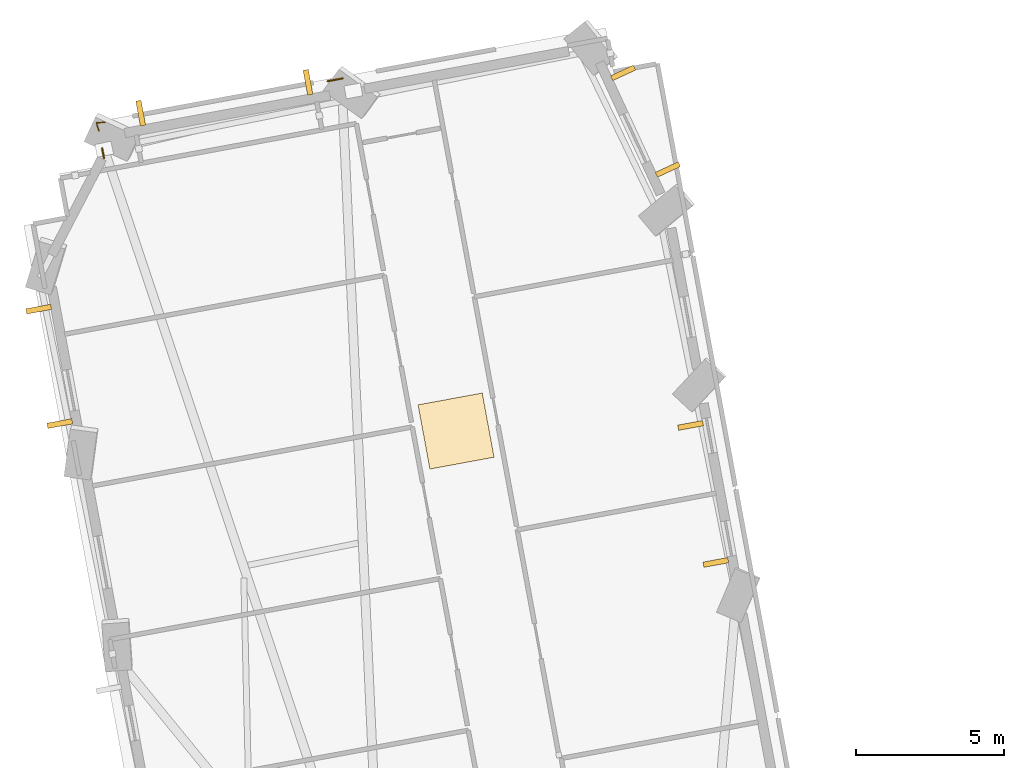
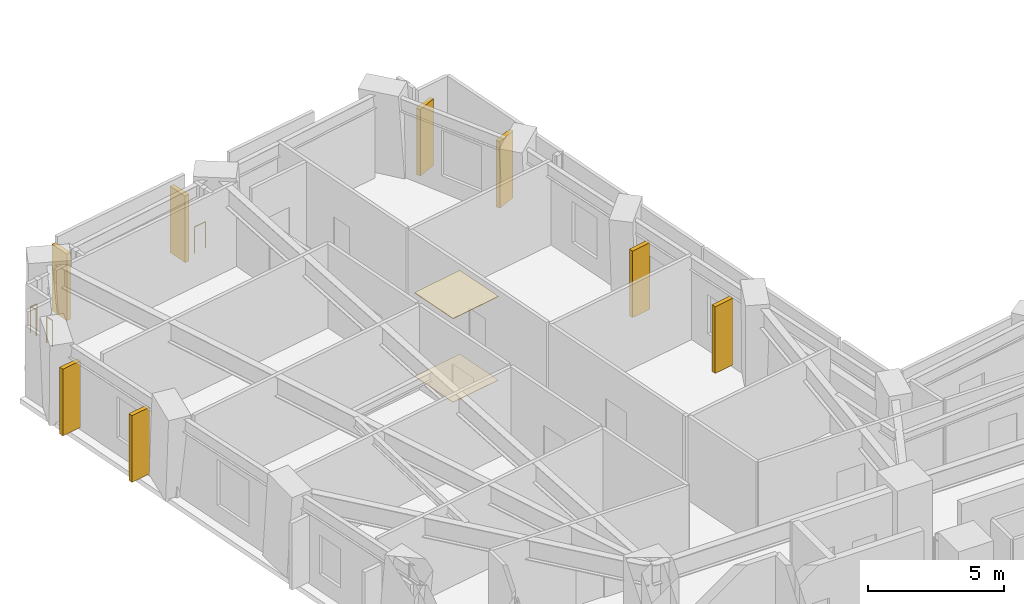
# One storey, part 15 of 16: 8 shading devices, 3 railings, 2 coverings.
"""IFC4 building model written with IfcOpenShell, lengths in metres."""

from ifc_helpers import new_model, si_unit, direction, frame, origin, origin_2d, place, context, subcontext, project, spatial, rectangle, circle, extrude, material, layer, layer_set, type_object, element, save


model = new_model("IFC4")

# Units and contexts
model_context = context("Model", 3, precision=1e-05, world=origin(), true_north=direction((0.0, 1.0)))
body_context = subcontext(model_context, "Body", "Model", "MODEL_VIEW")
ifc_project = project(units=[si_unit("LENGTHUNIT", "METRE"), si_unit("AREAUNIT", "SQUARE_METRE"), si_unit("VOLUMEUNIT", "CUBIC_METRE"), si_unit("PLANEANGLEUNIT", "RADIAN"), si_unit("MASSUNIT", "GRAM", prefix="KILO")], contexts=[model_context])

# Site, building, storey
site_placement = place(None, origin())
site = spatial("IfcSite", under=ifc_project, at=site_placement, CompositionType="ELEMENT")
building_placement = place(site_placement, origin())
building = spatial("IfcBuilding", under=site, at=building_placement, Name="Gaonmaruhae Medical Tower", CompositionType="ELEMENT")
storey_placement = place(building_placement, frame((0.0, 0.0, 67.0)))
storey = spatial("IfcBuildingStorey", under=building, at=storey_placement, Name="L15", CompositionType="ELEMENT", Elevation=67.0)

# Coverings
ifc_material_1 = material(Name="Acoustic mineral ceiling tile", Category="finish")
ifc_layer_1 = layer(ifc_material_1, 0.02490234375)
ifc_layer_set_1 = layer_set([ifc_layer_1], Name="Acoustic mineral ceiling tile")
covering_type_1 = type_object("IfcCoveringType", Name="CLG-01 Antimicrobial Acoustic Mineral Ceiling", PredefinedType="CEILING", material=ifc_layer_set_1)
covering_1_placement = place(storey_placement, frame((16.465576171875, 35.414306640625, 3.755126953125), z_axis=(0.0, 0.0, 1.0), x_axis=(0.983413563645, 0.181377404435, 0.0)))
element("IfcCovering", 1, at=covering_1_placement, inside=storey, type_object=covering_type_1, Name="L15 Clinical Corridor Acoustic Ceiling", PredefinedType="CEILING", context=body_context, shape_type="SweptSolid", body=[
    extrude(rectangle(XDim=2.199951171875, YDim=2.199951171875, at=origin_2d()), origin(), (0.0, 0.0, 1.0), 0.02490234375),
])
ifc_material_2 = material(Name="Seamless clinical vinyl flooring", Category="finish")
ifc_layer_2 = layer(ifc_material_2, 0.014892578125)
ifc_layer_set_2 = layer_set([ifc_layer_2], Name="Seamless clinical vinyl flooring")
covering_type_2 = type_object("IfcCoveringType", Name="FLR-01 Seamless Clinical Antistatic Vinyl Flooring", PredefinedType="FLOORING", material=ifc_layer_set_2)
covering_2_placement = place(storey_placement, frame((16.465576171875, 35.414306640625, 0.00048828125), z_axis=(0.0, 0.0, 1.0), x_axis=(0.983413563645, 0.181377404435, 0.0)))
element("IfcCovering", 2, at=covering_2_placement, inside=storey, type_object=covering_type_2, Name="L15 Clinical Corridor Vinyl Flooring", PredefinedType="FLOORING", context=body_context, shape_type="SweptSolid", body=[
    extrude(rectangle(XDim=2.199951171875, YDim=2.199951171875, at=origin_2d()), origin(), (0.0, 0.0, 1.0), 0.014892578125),
])

# Railings
ifc_material_3 = material(Name="Stainless steel 316L and laminated safety glass", Category="steel")
ifc_layer_3 = layer(ifc_material_3, 0.080078125)
ifc_layer_set_3 = layer_set([ifc_layer_3], Name="Stainless steel 316L and laminated safety glass")
railing_type = type_object("IfcRailingType", Name="GD-120 Outdoor Terrace Safety Glass & Steel Balustrade", PredefinedType="BALUSTRADE", material=ifc_layer_set_3)
railing_1_placement = place(storey_placement, frame((4.59375, 44.62109375, 0.0)))
element("IfcRailing", 3, at=railing_1_placement, inside=storey, type_object=railing_type, Name="L15 Perimeter Slab Edge Safety Balustrade 05", PredefinedType="BALUSTRADE", context=body_context, shape_type="SweptSolid", body=[
    extrude(circle(Radius=0.02392578125, at=origin_2d()), frame((0.0, 0.0, 1.17578125), z_axis=(-0.181580830922, 0.983376022609, 0.0), x_axis=(-0.983376022609, -0.181580830922, 0.0)), (0.0, 0.0, 1.0), 0.32666015625),
    extrude(circle(Radius=0.02099609375, at=origin_2d()), origin(), (0.0, 0.0, 1.0), 1.15185546875),
    extrude(circle(Radius=0.02099609375, at=origin_2d()), frame((-0.059326171875, 0.3212890625, 0.0)), (0.0, 0.0, 1.0), 1.15185546875),
])
railing_2_placement = place(storey_placement, frame((12.13525390625, 47.20849609375, 0.0)))
element("IfcRailing", 4, at=railing_2_placement, inside=storey, type_object=railing_type, Name="L15 Perimeter Slab Edge Safety Balustrade 06", PredefinedType="BALUSTRADE", context=body_context, shape_type="SweptSolid", body=[
    extrude(circle(Radius=0.02392578125, at=origin_2d()), frame((0.0, 0.0, 1.17578125), z_axis=(0.983428830512, 0.181294609178, 0.0), x_axis=(-0.181294609178, 0.983428830512, 0.0)), (0.0, 0.0, 1.0), 0.51708984375),
    extrude(circle(Radius=0.02099609375, at=origin_2d()), origin(), (0.0, 0.0, 1.0), 1.15185546875),
    extrude(circle(Radius=0.02099609375, at=origin_2d()), frame((0.508544921875, 0.09375, 0.0)), (0.0, 0.0, 1.0), 1.15185546875),
])
railing_3_placement = place(storey_placement, frame((4.42578125, 45.5322265625, 0.0)))
element("IfcRailing", 5, at=railing_3_placement, inside=storey, type_object=railing_type, Name="L15 Perimeter Corner Safety Balustrade 14", PredefinedType="BALUSTRADE", context=body_context, shape_type="SweptSolid", body=[
    extrude(circle(Radius=0.02392578125, at=origin_2d()), frame((0.0, 0.0, 1.17578125), z_axis=(-0.300113977239, 0.953903349751, 0.0), x_axis=(-0.953903349751, -0.300113977239, 0.0)), (0.0, 0.0, 1.0), 0.287109375),
    extrude(circle(Radius=0.02392578125, at=origin_2d()), frame((-0.086181640625, 0.27392578125, 1.17578125), z_axis=(0.998176267293, 0.060366707818, 0.0), x_axis=(-0.060366707818, 0.998176267293, 0.0)), (0.0, 0.0, 1.0), 0.287109375),
    extrude(circle(Radius=0.02099609375, at=origin_2d()), origin(), (0.0, 0.0, 1.0), 1.15185546875),
    extrude(circle(Radius=0.02099609375, at=origin_2d()), frame((-0.086181640625, 0.27392578125, 0.0)), (0.0, 0.0, 1.0), 1.15185546875),
    extrude(circle(Radius=0.02099609375, at=origin_2d()), frame((0.200439453125, 0.291259765625, 0.0)), (0.0, 0.0, 1.0), 1.15185546875),
])

# Shading devices
ifc_material_4 = material(Name="Pigmented coral precast concrete C45/55", Category="concrete")
shading_device_type = type_object("IfcShadingDeviceType", Name="SD-FIN1 Tower Vertical Coral Precast Shading Fin", PredefinedType="USERDEFINED", material=ifc_material_4)
for number, where, z_axis, x_axis, name in (
    (6, (25.224365234375, 30.984130859375, 0.08251953125), (0.0, 0.0, 1.0), (-0.181377404435, 0.983413563645, 0.0), "L15 Vertical Coral Precast Shading Fin NE01"),
    (7, (24.37255859375, 35.602783203125, 0.08251953125), (0.0, 0.0, 1.0), (-0.181377404435, 0.983413563645, 0.0), "L15 Vertical Coral Precast Shading Fin NE01B"),
    (8, (22.096923828125, 47.48828125, 0.08251953125), (0.0, 0.0, 1.0), (0.419959015588, -0.907543070728, 0.0), "L15 Vertical Coral Precast Shading Fin NE03"),
    (9, (23.604248046875, 44.231201171875, 0.08251953125), (0.0, 0.0, 1.0), (0.419959015588, -0.907543070728, 0.0), "L15 Vertical Coral Precast Shading Fin NE03B"),
    (10, (5.833251953125, 46.132568359375, 0.08251953125), (0.0, 0.0, 1.0), (0.983413563645, 0.181377404435, 0.0), "L15 Vertical Coral Precast Shading Fin N02"),
    (11, (11.472900390625, 47.172607421875, 0.08251953125), (0.0, 0.0, 1.0), (0.983413563645, 0.181377404435, 0.0), "L15 Vertical Coral Precast Shading Fin N02B"),
    (12, (3.1083984375, 35.666259765625, 0.08251953125), (0.0, 0.0, 1.0), (-0.181377404435, 0.983413563645, 0.0), "L15 Vertical Coral Precast Shading Fin W01"),
    (13, (2.39697265625, 39.524169921875, 0.08251953125), (0.0, 0.0, 1.0), (-0.181377404435, 0.983413563645, 0.0), "L15 Vertical Coral Precast Shading Fin W01B"),
):
    element("IfcShadingDevice", number, at=place(storey_placement, frame(where, z_axis=z_axis, x_axis=x_axis)), inside=storey, type_object=shading_device_type, Name=name, ObjectType="FIN", PredefinedType="USERDEFINED", context=body_context, shape_type="SweptSolid", body=[
        extrude(rectangle(XDim=0.179931640625, YDim=0.85009765625, at=origin_2d()), origin(), (0.0, 0.0, 1.0), 3.0),
    ])

save(model, "model.ifc")
